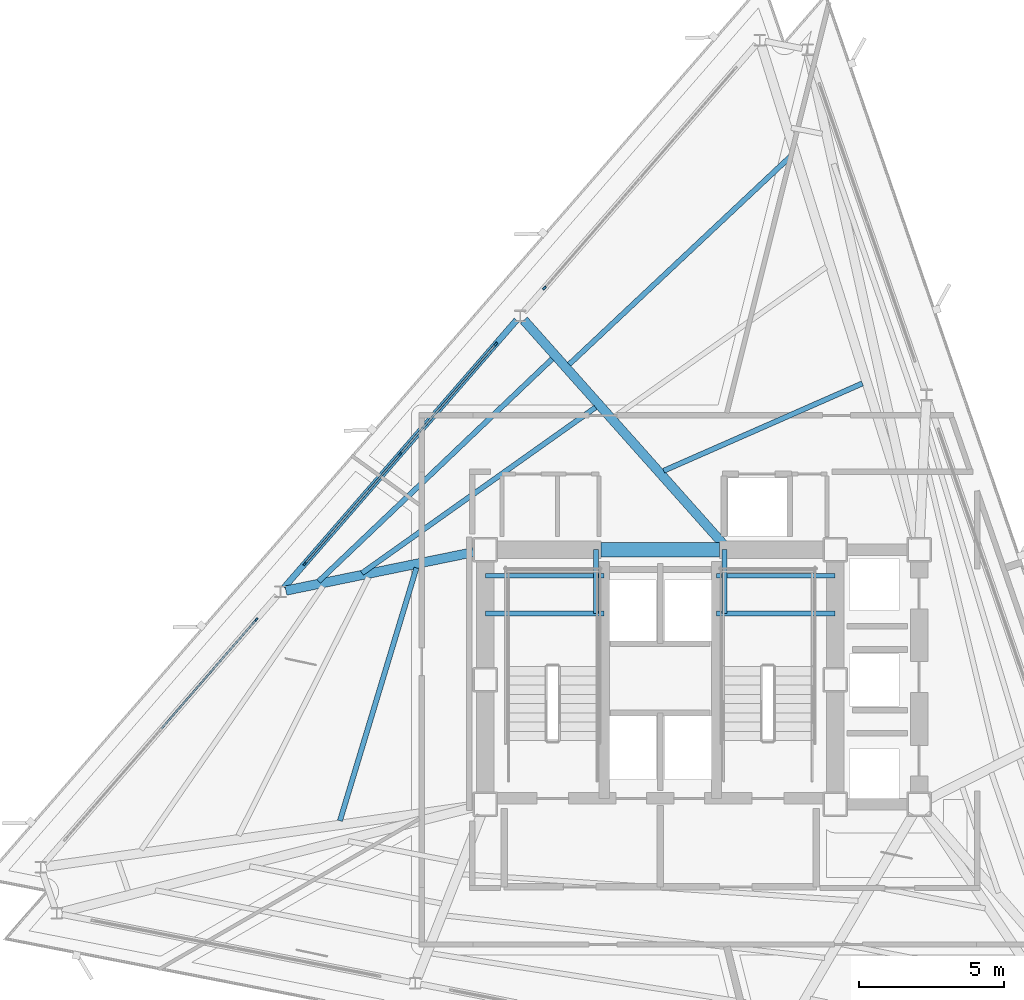
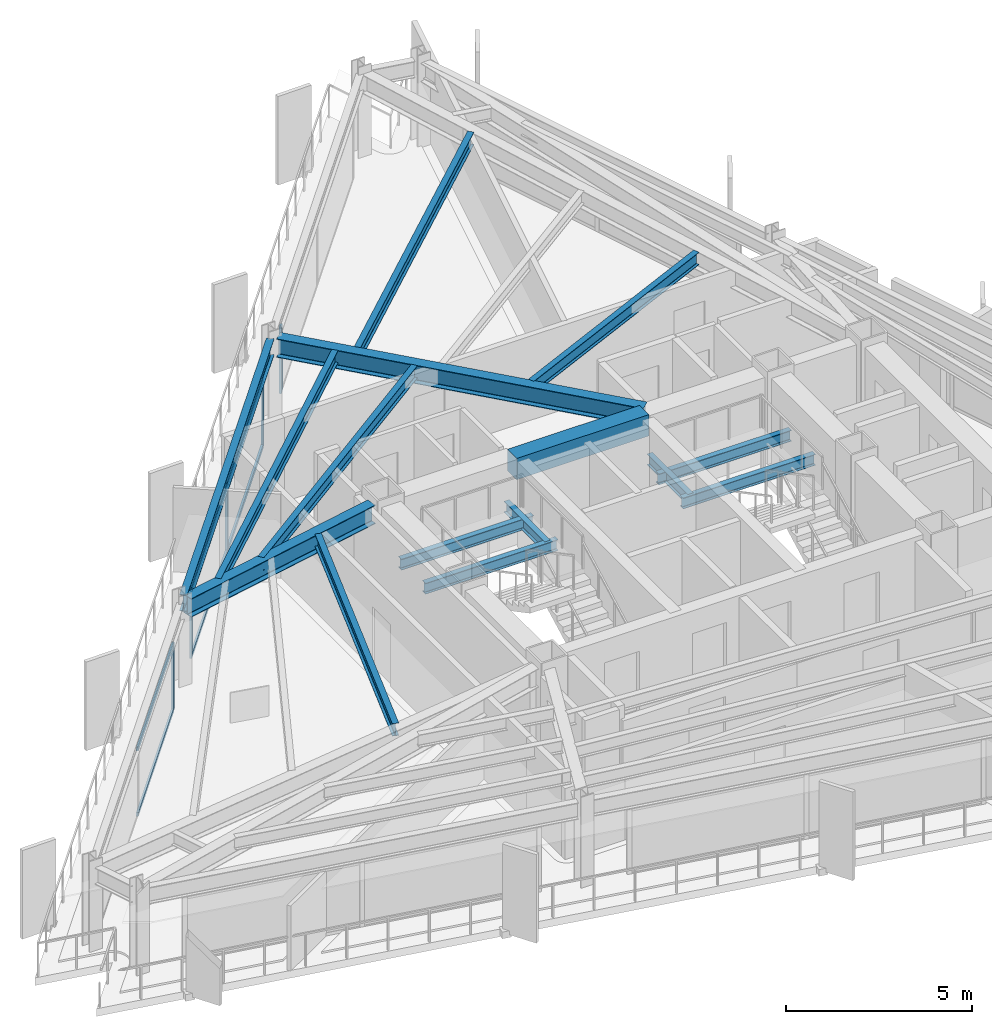
# One storey, part 4 of 13: 15 beams, 11 members, 3 elements without a shape of their own.
"""IFC4 building model written with IfcOpenShell, lengths in metres."""

from ifc_helpers import new_model, si_unit, direction, frame, origin, origin_2d, place, context, subcontext, project, spatial, rectangle, i_section, extrude, material, layer, layer_set, material_profile, profile_set, type_object, element, aggregate, save


model = new_model("IFC4")

# Units and contexts
model_context = context("Model", 3, precision=1e-05, world=origin(), true_north=direction((0.0, 1.0)))
body_context = subcontext(model_context, "Body", "Model", "MODEL_VIEW")
ifc_project = project(units=[si_unit("LENGTHUNIT", "METRE"), si_unit("AREAUNIT", "SQUARE_METRE"), si_unit("VOLUMEUNIT", "CUBIC_METRE"), si_unit("PLANEANGLEUNIT", "RADIAN"), si_unit("MASSUNIT", "GRAM", prefix="KILO")], contexts=[model_context])

# Site, building, storey
site_placement = place(None, origin())
site = spatial("IfcSite", under=ifc_project, at=site_placement, CompositionType="ELEMENT")
building_placement = place(site_placement, origin())
building = spatial("IfcBuilding", under=site, at=building_placement, Name="Rocaltana Carrier Exchange", CompositionType="ELEMENT")
storey_placement = place(building_placement, frame((0.0, 0.0, 150.239990234375)))
storey = spatial("IfcBuildingStorey", under=building, at=storey_placement, Name="L47", CompositionType="ELEMENT", Elevation=150.239990234375)

# Curtain wall, member
ifc_material_1 = material(Name="Aluminium 6063-T6", Category="aluminium")
ifc_layer = layer(ifc_material_1, 0.135009765625)
ifc_layer_set = layer_set([ifc_layer], Name="Aluminium 6063-T6")
curtain_wall_type = type_object("IfcCurtainWallType", Name="Upper-Mid Acoustic Curtain Wall CW-04", PredefinedType="NOTDEFINED", material=ifc_layer_set)
curtain_wall_1_placement = place(storey_placement, origin())
curtain_wall_1 = element("IfcCurtainWall", 1, at=curtain_wall_1_placement, inside=storey, type_object=curtain_wall_type, Name="L47 CW-04 Run CW-L47-F2S1", PredefinedType="NOTDEFINED")
ifc_material_2 = material(Name="Aluminium 6063-T6", Category="aluminium")
ifc_material_profile_1 = material_profile(ifc_material_2, rectangle(XDim=0.06494140625, YDim=0.135009765625, at=origin_2d()), Name="AL-65X135")
ifc_profile_set_1 = profile_set([ifc_material_profile_1], Name="Aluminium 6063-T6")
member_type_1 = type_object("IfcMemberType", Name="CW-04 Mullion AL-65X135", PredefinedType="MULLION", material=ifc_profile_set_1)
member_1_placement = place(storey_placement, frame((-4.005859375, 13.55126953125, 0.0), z_axis=(0.0, 0.0, 1.0), x_axis=(0.75471173919, -0.656056545375, 0.0)))
member_1 = element("IfcMember", 2, at=member_1_placement, type_object=member_type_1, Name="CW-04 mullion 3", PredefinedType="MULLION", context=body_context, shape_type="SweptSolid", body=[
    extrude(rectangle(XDim=0.06494140625, YDim=0.135009765625, at=origin_2d()), origin(), (0.0, 0.0, 1.0), 2.218017578125),
])
aggregate(curtain_wall_1, [member_1])

# Curtain wall, members
curtain_wall_2_placement = place(storey_placement, origin())
curtain_wall_2 = element("IfcCurtainWall", 3, at=curtain_wall_2_placement, inside=storey, type_object=curtain_wall_type, Name="L47 CW-04 Run CW-L47-F2S2", PredefinedType="NOTDEFINED")
member_2_placement = place(storey_placement, frame((-5.688720703125, 11.615478515625, 0.0), z_axis=(0.0, 0.0, 1.0), x_axis=(0.75471173919, -0.656056545375, 0.0)))
member_2 = element("IfcMember", 4, at=member_2_placement, type_object=member_type_1, Name="CW-04 mullion 1", PredefinedType="MULLION", context=body_context, shape_type="SweptSolid", body=[
    extrude(rectangle(XDim=0.06494140625, YDim=0.135009765625, at=origin_2d()), origin(), (0.0, 0.0, 1.0), 2.218017578125),
])
member_3_placement = place(storey_placement, frame((-8.9912109375, 7.816162109375, 0.0), z_axis=(0.0, 0.0, 1.0), x_axis=(0.75471173919, -0.656056545375, 0.0)))
member_3 = element("IfcMember", 5, at=member_3_placement, type_object=member_type_1, Name="CW-04 mullion 2", PredefinedType="MULLION", context=body_context, shape_type="SweptSolid", body=[
    extrude(rectangle(XDim=0.06494140625, YDim=0.135009765625, at=origin_2d()), origin(), (0.0, 0.0, 1.0), 2.218017578125),
])
member_4_placement = place(storey_placement, frame((-12.2939453125, 4.016845703125, 0.0), z_axis=(0.0, 0.0, 1.0), x_axis=(0.75471173919, -0.656056545375, 0.0)))
member_4 = element("IfcMember", 6, at=member_4_placement, type_object=member_type_1, Name="CW-04 mullion 3", PredefinedType="MULLION", context=body_context, shape_type="SweptSolid", body=[
    extrude(rectangle(XDim=0.06494140625, YDim=0.135009765625, at=origin_2d()), origin(), (0.0, 0.0, 1.0), 2.218017578125),
])

# Curtain wall, member
curtain_wall_3_placement = place(storey_placement, origin())
curtain_wall_3 = element("IfcCurtainWall", 7, at=curtain_wall_3_placement, inside=storey, type_object=curtain_wall_type, Name="L47 CW-04 Run CW-L47-F2S3", PredefinedType="NOTDEFINED")
member_5_placement = place(storey_placement, frame((-13.976806640625, 2.080810546875, 0.0), z_axis=(0.0, 0.0, 1.0), x_axis=(0.75471173919, -0.656056545375, 0.0)))
member_5 = element("IfcMember", 8, at=member_5_placement, type_object=member_type_1, Name="CW-04 mullion 1", PredefinedType="MULLION", context=body_context, shape_type="SweptSolid", body=[
    extrude(rectangle(XDim=0.06494140625, YDim=0.135009765625, at=origin_2d()), origin(), (0.0, 0.0, 1.0), 2.218017578125),
])

# Member
ifc_material_3 = material(Name="Aluminium 6063-T6", Category="aluminium")
ifc_material_profile_2 = material_profile(ifc_material_3, rectangle(XDim=0.06494140625, YDim=0.135009765625, at=origin_2d()), Name="AL-65X135")
ifc_profile_set_2 = profile_set([ifc_material_profile_2], Name="Aluminium 6063-T6")
member_type_2 = type_object("IfcMemberType", Name="CW-04 Transom AL-65X135", PredefinedType="USERDEFINED", material=ifc_profile_set_2)
member_6_placement = place(storey_placement, frame((-5.7099609375, 11.5908203125, 0.032470703125), z_axis=(-0.656055850486, -0.754712343243, 0.0), x_axis=(0.754712343243, -0.656055850486, 0.0)))
member_6 = element("IfcMember", 9, at=member_6_placement, type_object=member_type_2, Name="CW-04 transom 1.1", ObjectType="TRANSOM", PredefinedType="USERDEFINED", context=body_context, shape_type="SweptSolid", body=[
    extrude(rectangle(XDim=0.06494140625, YDim=0.135009765625, at=origin_2d()), origin(), (0.0, 0.0, 1.0), 4.968994140625),
])

member_7_placement = place(storey_placement, frame((-5.7099609375, 11.5908203125, 2.185546875), z_axis=(-0.656055850486, -0.754712343243, 0.0), x_axis=(0.754712343243, -0.656055850486, 0.0)))
member_7 = element("IfcMember", 10, at=member_7_placement, type_object=member_type_2, Name="CW-04 transom 1.2", ObjectType="TRANSOM", PredefinedType="USERDEFINED", context=body_context, shape_type="SweptSolid", body=[
    extrude(rectangle(XDim=0.06494140625, YDim=0.135009765625, at=origin_2d()), origin(), (0.0, 0.0, 1.0), 4.968994140625),
])

member_8_placement = place(storey_placement, frame((-9.0126953125, 7.79150390625, 0.032470703125), z_axis=(-0.656055850486, -0.754712343243, 0.0), x_axis=(0.754712343243, -0.656055850486, 0.0)))
member_8 = element("IfcMember", 11, at=member_8_placement, type_object=member_type_2, Name="CW-04 transom 2.1", ObjectType="TRANSOM", PredefinedType="USERDEFINED", context=body_context, shape_type="SweptSolid", body=[
    extrude(rectangle(XDim=0.06494140625, YDim=0.135009765625, at=origin_2d()), origin(), (0.0, 0.0, 1.0), 4.968994140625),
])

member_9_placement = place(storey_placement, frame((-9.0126953125, 7.79150390625, 2.185546875), z_axis=(-0.656055850486, -0.754712343243, 0.0), x_axis=(0.754712343243, -0.656055850486, 0.0)))
member_9 = element("IfcMember", 12, at=member_9_placement, type_object=member_type_2, Name="CW-04 transom 2.2", ObjectType="TRANSOM", PredefinedType="USERDEFINED", context=body_context, shape_type="SweptSolid", body=[
    extrude(rectangle(XDim=0.06494140625, YDim=0.135009765625, at=origin_2d()), origin(), (0.0, 0.0, 1.0), 4.968994140625),
])

aggregate(curtain_wall_2, [member_2, member_3, member_4, member_6, member_7, member_8, member_9])

member_10_placement = place(storey_placement, frame((-13.998046875, 2.056396484375, 0.032470703125), z_axis=(-0.656055850486, -0.754712343243, 0.0), x_axis=(0.754712343243, -0.656055850486, 0.0)))
member_10 = element("IfcMember", 13, at=member_10_placement, type_object=member_type_2, Name="CW-04 transom 1.1", ObjectType="TRANSOM", PredefinedType="USERDEFINED", context=body_context, shape_type="SweptSolid", body=[
    extrude(rectangle(XDim=0.06494140625, YDim=0.135009765625, at=origin_2d()), origin(), (0.0, 0.0, 1.0), 4.968994140625),
])

member_11_placement = place(storey_placement, frame((-13.998046875, 2.056396484375, 2.185546875), z_axis=(-0.656055850486, -0.754712343243, 0.0), x_axis=(0.754712343243, -0.656055850486, 0.0)))
member_11 = element("IfcMember", 14, at=member_11_placement, type_object=member_type_2, Name="CW-04 transom 1.2", ObjectType="TRANSOM", PredefinedType="USERDEFINED", context=body_context, shape_type="SweptSolid", body=[
    extrude(rectangle(XDim=0.06494140625, YDim=0.135009765625, at=origin_2d()), origin(), (0.0, 0.0, 1.0), 4.968994140625),
])

aggregate(curtain_wall_3, [member_5, member_10, member_11])

# Beams
ifc_material_4 = material(Name="Concrete C60/75", Category="concrete")
ifc_material_profile_3 = material_profile(ifc_material_4, rectangle(XDim=0.5, YDim=0.699951171875, at=origin_2d()), Name="RC-BM-500X700")
ifc_profile_set_3 = profile_set([ifc_material_profile_3], Name="Concrete C60/75")
beam_type_1 = type_object("IfcBeamType", Name="Core Coupling Lintel 500x700", PredefinedType="LINTEL", material=ifc_profile_set_3)
beam_1_placement = place(storey_placement, frame((-2.050048828125, 4.5, 2.43798828125), z_axis=(1.0, 0.0, 0.0), x_axis=(0.0, 1.0, 0.0)))
element("IfcBeam", 15, at=beam_1_placement, inside=storey, type_object=beam_type_1, Name="L47 Core Coupling Lintel CL-N", PredefinedType="LINTEL", context=body_context, shape_type="SweptSolid", body=[
    extrude(rectangle(XDim=0.5, YDim=0.699951171875, at=origin_2d()), origin(), (0.0, 0.0, 1.0), 4.10009765625),
])
ifc_material_5 = material(Name="Steel S355", Category="steel")
ifc_material_profile_4 = material_profile(ifc_material_5, i_section(OverallWidth=0.172119140625, OverallDepth=0.35791015625, WebThickness=0.0078125, FlangeThickness=0.01318359375, FilletRadius=0.011962890625, at=origin_2d()), Name="W14X38")
ifc_profile_set_4 = profile_set([ifc_material_profile_4], Name="Steel S355")
beam_type_2 = type_object("IfcBeamType", Name="Floor Joist W14X38", PredefinedType="JOIST", material=ifc_profile_set_4)
for number, where, z_axis, x_axis, name in (
    (16, (-6.050048828125, 2.300048828125, 1.14111328125), (1.0, 0.0, 0.0), (0.0, 1.0, 0.0), "L47 ST-1 Landing Carrier 1"),
    (17, (1.93994140625, 2.300048828125, 1.14111328125), (1.0, 0.0, 0.0), (0.0, 1.0, 0.0), "L47 ST-2 Landing Carrier 1"),
    (18, (-6.050048828125, 3.60009765625, 1.14111328125), (1.0, 0.0, 0.0), (0.0, 1.0, 0.0), "L47 ST-1 Landing Carrier 2"),
    (19, (1.93994140625, 3.60009765625, 1.14111328125), (1.0, 0.0, 0.0), (0.0, 1.0, 0.0), "L47 ST-2 Landing Carrier 2"),
):
    element("IfcBeam", number, at=place(storey_placement, frame(where, z_axis=z_axis, x_axis=x_axis)), inside=storey, type_object=beam_type_2, Name=name, PredefinedType="JOIST", context=body_context, shape_type="SweptSolid", body=[
        extrude(i_section(OverallWidth=0.172119140625, OverallDepth=0.35791015625, WebThickness=0.0078125, FlangeThickness=0.01318359375, FilletRadius=0.011962890625, at=origin_2d()), origin(), (0.0, 0.0, 1.0), 4.110107421875),
    ])
for number, where, z_axis, x_axis, name in (
    (20, (-2.219970703125, 2.300048828125, 1.14111328125), (0.0, 1.0, 0.0), (-1.0, 0.0, 0.0), "L47 ST-1 Landing Cross Trimmer"),
    (21, (2.219970703125, 2.300048828125, 1.14111328125), (0.0, 1.0, 0.0), (-1.0, 0.0, 0.0), "L47 ST-2 Landing Cross Trimmer"),
):
    element("IfcBeam", number, at=place(storey_placement, frame(where, z_axis=z_axis, x_axis=x_axis)), inside=storey, type_object=beam_type_2, Name=name, PredefinedType="JOIST", context=body_context, shape_type="SweptSolid", body=[
        extrude(i_section(OverallWidth=0.172119140625, OverallDepth=0.35791015625, WebThickness=0.0078125, FlangeThickness=0.01318359375, FilletRadius=0.011962890625, at=origin_2d()), origin(), (0.0, 0.0, 1.0), 2.199951171875),
    ])
ifc_material_6 = material(Name="Steel S355", Category="steel")
ifc_material_profile_5 = material_profile(ifc_material_6, i_section(OverallWidth=0.179931640625, OverallDepth=0.4130859375, WebThickness=0.009765625, FlangeThickness=0.01611328125, FilletRadius=0.012939453125, at=origin_2d()), Name="W16X50")
ifc_profile_set_5 = profile_set([ifc_material_profile_5], Name="Steel S355")
beam_type_3 = type_object("IfcBeamType", Name="Floor Joist W16X50", PredefinedType="JOIST", material=ifc_profile_set_5)
beam_2_placement = place(storey_placement, frame((6.9892578125, 10.251220703125, 2.58154296875), z_axis=(-0.915437763767, -0.402459564018, 0.0), x_axis=(0.402459564018, -0.915437763767, 0.0)))
element("IfcBeam", 22, at=beam_2_placement, inside=storey, type_object=beam_type_3, Name="FJ-L47-05-1", PredefinedType="JOIST", context=body_context, shape_type="SweptSolid", body=[
    extrude(i_section(OverallWidth=0.179931640625, OverallDepth=0.4130859375, WebThickness=0.009765625, FlangeThickness=0.01611328125, FilletRadius=0.012939453125, at=origin_2d()), origin(), (0.0, 0.0, 1.0), 7.50634765625),
])
beam_3_placement = place(storey_placement, frame((4.539306640625, 18.135009765625, 2.58154296875), z_axis=(-0.728861369792, -0.684661305774, 0.0), x_axis=(0.684661305774, -0.728861369792, 0.0)))
element("IfcBeam", 23, at=beam_3_placement, inside=storey, type_object=beam_type_3, Name="FJ-L47-05-3", PredefinedType="JOIST", context=body_context, shape_type="SweptSolid", body=[
    extrude(i_section(OverallWidth=0.179931640625, OverallDepth=0.4130859375, WebThickness=0.009765625, FlangeThickness=0.01611328125, FilletRadius=0.012939453125, at=origin_2d()), origin(), (0.0, 0.0, 1.0), 10.550048828125),
])
beam_4_placement = place(storey_placement, frame((-2.239501953125, 9.42138671875, 2.58154296875), z_axis=(-0.815531916739, -0.578712098353, 0.0), x_axis=(0.578712098353, -0.815531916739, 0.0)))
element("IfcBeam", 24, at=beam_4_placement, inside=storey, type_object=beam_type_3, Name="FJ-L47-06-2", PredefinedType="JOIST", context=body_context, shape_type="SweptSolid", body=[
    extrude(i_section(OverallWidth=0.179931640625, OverallDepth=0.4130859375, WebThickness=0.009765625, FlangeThickness=0.01611328125, FilletRadius=0.012939453125, at=origin_2d()), origin(), (0.0, 0.0, 1.0), 9.90283203125),
])
beam_5_placement = place(storey_placement, frame((-3.736572265625, 11.1015625, 2.58154296875), z_axis=(-0.724047932372, -0.689749658665, 0.0), x_axis=(0.689749658665, -0.724047932372, 0.0)))
element("IfcBeam", 25, at=beam_5_placement, inside=storey, type_object=beam_type_3, Name="FJ-L47-06-3", PredefinedType="JOIST", context=body_context, shape_type="SweptSolid", body=[
    extrude(i_section(OverallWidth=0.179931640625, OverallDepth=0.4130859375, WebThickness=0.009765625, FlangeThickness=0.01611328125, FilletRadius=0.012939453125, at=origin_2d()), origin(), (0.0, 0.0, 1.0), 11.161376953125),
])
beam_6_placement = place(storey_placement, frame((-8.433349609375, 3.871826171875, 2.58154296875), z_axis=(-0.289517060533, -0.957172853596, 0.0), x_axis=(0.957172853596, -0.289517060533, 0.0)))
element("IfcBeam", 26, at=beam_6_placement, inside=storey, type_object=beam_type_3, Name="FJ-L47-07-1", PredefinedType="JOIST", context=body_context, shape_type="SweptSolid", body=[
    extrude(i_section(OverallWidth=0.179931640625, OverallDepth=0.4130859375, WebThickness=0.009765625, FlangeThickness=0.01611328125, FilletRadius=0.012939453125, at=origin_2d()), origin(), (0.0, 0.0, 1.0), 9.135009765625),
])
ifc_material_7 = material(Name="Steel S355", Category="steel")
ifc_material_profile_6 = material_profile(ifc_material_7, i_section(OverallWidth=0.323974609375, OverallDepth=0.611083984375, WebThickness=0.0126953125, FlangeThickness=0.01904296875, FilletRadius=0.01611328125, at=origin_2d()), Name="W24X104")
ifc_profile_set_6 = profile_set([ifc_material_profile_6], Name="Steel S355")
beam_type_4 = type_object("IfcBeamType", Name="Radial Girder W24X104", PredefinedType="BEAM", material=ifc_profile_set_6)
beam_7_placement = place(storey_placement, frame((2.189208984375, 4.6806640625, 2.482421875), z_axis=(-0.664999508704, 0.746843794527, 0.0), x_axis=(-0.746843794527, -0.664999508704, 0.0)))
element("IfcBeam", 27, at=beam_7_placement, inside=storey, type_object=beam_type_4, Name="RG-L47-06", PredefinedType="BEAM", context=body_context, shape_type="SweptSolid", body=[
    extrude(i_section(OverallWidth=0.323974609375, OverallDepth=0.611083984375, WebThickness=0.0126953125, FlangeThickness=0.01904296875, FilletRadius=0.01611328125, at=origin_2d()), origin(), (0.0, 0.0, 1.0), 10.3896484375),
])
beam_8_placement = place(storey_placement, frame((-6.45849609375, 4.416259765625, 2.482421875), z_axis=(-0.979662930215, -0.200650300681, 0.0), x_axis=(0.200650300681, -0.979662930215, 0.0)))
element("IfcBeam", 28, at=beam_8_placement, inside=storey, type_object=beam_type_4, Name="RG-L47-07", PredefinedType="BEAM", context=body_context, shape_type="SweptSolid", body=[
    extrude(i_section(OverallWidth=0.323974609375, OverallDepth=0.611083984375, WebThickness=0.0126953125, FlangeThickness=0.01904296875, FilletRadius=0.01611328125, at=origin_2d()), origin(), (0.0, 0.0, 1.0), 6.6240234375),
])
ifc_material_8 = material(Name="Steel S355", Category="steel")
ifc_material_profile_7 = material_profile(ifc_material_8, i_section(OverallWidth=0.2119140625, OverallDepth=0.5439453125, WebThickness=0.01318359375, FlangeThickness=0.021240234375, FilletRadius=0.014892578125, at=origin_2d()), Name="W21X83")
ifc_profile_set_7 = profile_set([ifc_material_profile_7], Name="Steel S355")
beam_type_5 = type_object("IfcBeamType", Name="Spandrel Edge Beam W21X83", PredefinedType="SPANDREL", material=ifc_profile_set_7)
beam_9_placement = place(storey_placement, frame((-4.972900390625, 12.438720703125, 2.51611328125), z_axis=(-0.656058807926, -0.754709772391, 0.0), x_axis=(0.754709772391, -0.656058807926, 0.0)))
element("IfcBeam", 29, at=beam_9_placement, inside=storey, type_object=beam_type_5, Name="SP-L47-06", PredefinedType="SPANDREL", context=body_context, shape_type="SweptSolid", body=[
    extrude(i_section(OverallWidth=0.2119140625, OverallDepth=0.5439453125, WebThickness=0.01318359375, FlangeThickness=0.021240234375, FilletRadius=0.014892578125, at=origin_2d()), origin(), (0.0, 0.0, 1.0), 12.250244140625),
])

save(model, "model.ifc")
